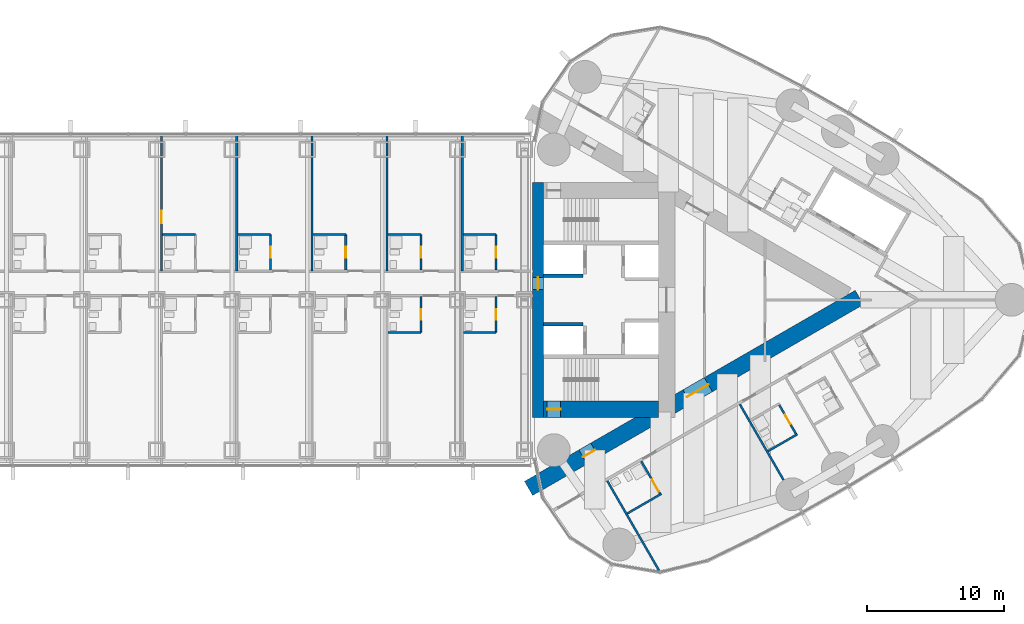
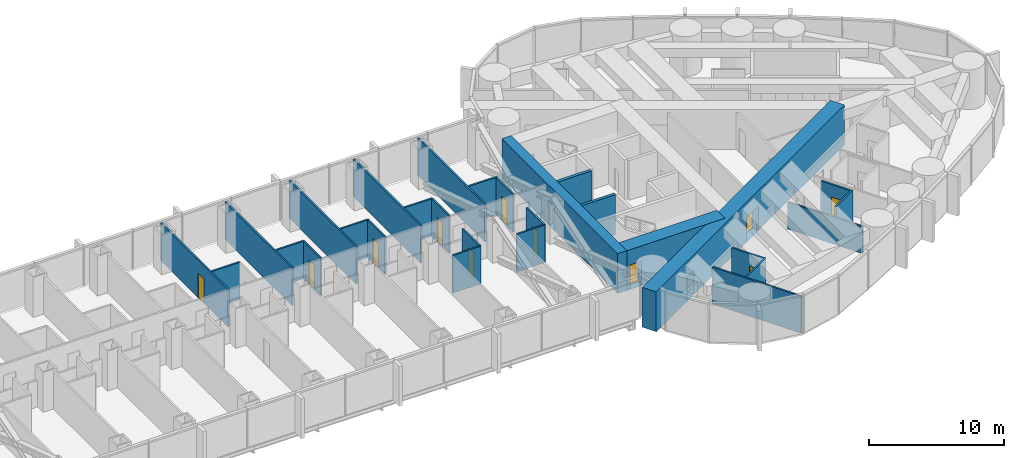
# One storey, part 18 of 23: 29 walls, 13 doors, 13 openings.
"""IFC4 building model written with IfcOpenShell, lengths in metres."""

from ifc_helpers import new_model, si_unit, direction, frame, frame_2d, origin, place, context, subcontext, project, spatial, rectangle, extrude, material, layer, layer_set, type_object, element, fill, save


model = new_model("IFC4")

# Units and contexts
model_context = context("Model", 3, precision=1e-05, world=origin(), true_north=direction((0.0, 1.0)))
body_context = subcontext(model_context, "Body", "Model", "MODEL_VIEW")
ifc_project = project(units=[si_unit("LENGTHUNIT", "METRE"), si_unit("AREAUNIT", "SQUARE_METRE"), si_unit("VOLUMEUNIT", "CUBIC_METRE"), si_unit("PLANEANGLEUNIT", "RADIAN"), si_unit("MASSUNIT", "GRAM", prefix="KILO")], contexts=[model_context])

# Site, building, storey
site_placement = place(None, origin())
site = spatial("IfcSite", under=ifc_project, at=site_placement, CompositionType="ELEMENT")
building_placement = place(site_placement, origin())
building = spatial("IfcBuilding", under=site, at=building_placement, Name="Lancet Gate Hotel", CompositionType="ELEMENT")
storey_placement = place(building_placement, frame((0.0, 0.0, 215.300048828125)))
storey = spatial("IfcBuildingStorey", under=building, at=storey_placement, Name="L57", CompositionType="ELEMENT", Elevation=215.300048828125)

# Wall
ifc_material_1 = material(Name="Moisture resistant board partition")
ifc_layer_1 = layer(ifc_material_1, 0.14990234375)
ifc_layer_set_1 = layer_set([ifc_layer_1], Name="Bathroom wall 150")
wall_type_1 = type_object("IfcWallType", Name="Bathroom wall 150", PredefinedType="PARTITIONING", material=ifc_layer_set_1)
wall_1_placement = place(storey_placement, frame((34.425048828125, -15.633056640625, 0.0), z_axis=(0.0, 0.0, 1.0), x_axis=(0.866018712932, 0.500011588718, 0.0)))
element("IfcWall", 1, at=wall_1_placement, inside=storey, type_object=wall_type_1, Name="T2 bathroom wall 150 L57", PredefinedType="PARTITIONING", context=body_context, shape_type="SweptSolid", body=[
    extrude(rectangle(XDim=2.875, YDim=0.14990234375, at=frame_2d((1.4375, 0.0))), origin(), (0.0, 0.0, 1.0), 3.349853515625),
])

# Wall, opening, door
wall_2_placement = place(storey_placement, frame((35.449951171875, -11.80810546875, 0.0), z_axis=(0.0, 0.0, 1.0), x_axis=(0.49994636267, -0.866056369097, 0.0)))
wall_2 = element("IfcWall", 2, at=wall_2_placement, inside=storey, type_object=wall_type_1, Name="T2 bathroom wall 150 L57", PredefinedType="PARTITIONING", context=body_context, shape_type="SweptSolid", body=[
    extrude(rectangle(XDim=2.800048828125, YDim=0.14990234375, at=frame_2d((1.39990234375, 0.0))), origin(), (0.0, 0.0, 1.0), 3.349853515625),
])
opening_1_placement = place(wall_2_placement, frame((1.550048828125, 0.0, 0.0)))
opening_1 = element("IfcOpeningElement", 3, at=opening_1_placement, cuts=wall_2, Name="Opening 5752-B", PredefinedType="OPENING", context=body_context, shape_type="SweptSolid", body=[
    extrude(rectangle(XDim=1.0, YDim=2.199951171875, at=frame_2d((0.5, 1.10009765625))), frame((0.0, 0.0849609375, 0.0), z_axis=(0.0, -1.0, 0.0), x_axis=(1.0, 0.0, 0.0)), (0.0, 0.0, 1.0), 0.169921875),
])
ifc_material_2 = material(Name="Timber door set", Category="wood")
door_type_1 = type_object("IfcDoorType", Name="Accessible en-suite door 1000", OperationType="SINGLE_SWING_RIGHT", PredefinedType="DOOR", material=ifc_material_2)
door_1_placement = place(opening_1_placement, origin())
door_1 = element("IfcDoor", 4, at=door_1_placement, inside=storey, type_object=door_type_1, Name="5752-B", OperationType="SINGLE_SWING_RIGHT", OverallHeight=2.199951171875, OverallWidth=1.0, PredefinedType="DOOR", context=body_context, shape_type="SweptSolid", body=[
    extrude(rectangle(XDim=1.0, YDim=2.199951171875, at=frame_2d((0.5, 1.10009765625))), frame((0.0, 0.02490234375, 0.0), z_axis=(0.0, -1.0, 0.0), x_axis=(1.0, 0.0, 0.0)), (0.0, 0.0, 1.0), 0.050048828125),
])
fill(opening_1, door_1)

# Wall
wall_3_placement = place(storey_placement, frame((44.724609375, -11.072265625, 0.0), z_axis=(0.0, 0.0, 1.0), x_axis=(0.866006523861, 0.500032699561, 0.0)))
element("IfcWall", 5, at=wall_3_placement, inside=storey, type_object=wall_type_1, Name="T2 bathroom wall 150 L57", PredefinedType="PARTITIONING", context=body_context, shape_type="SweptSolid", body=[
    extrude(rectangle(XDim=2.474853515625, YDim=0.14990234375, at=frame_2d((1.2373046875, 0.0))), origin(), (0.0, 0.0, 1.0), 3.349853515625),
])

# Wall, opening, door
wall_4_placement = place(storey_placement, frame((45.5029296875, -7.62060546875, 0.0), z_axis=(0.0, 0.0, 1.0), x_axis=(0.500006934395, -0.866021400173, 0.0)))
wall_4 = element("IfcWall", 6, at=wall_4_placement, inside=storey, type_object=wall_type_1, Name="T2 bathroom wall 150 L57", PredefinedType="PARTITIONING", context=body_context, shape_type="SweptSolid", body=[
    extrude(rectangle(XDim=2.60009765625, YDim=0.14990234375, at=frame_2d((1.300048828125, 0.0))), origin(), (0.0, 0.0, 1.0), 3.349853515625),
])
opening_2_placement = place(wall_4_placement, frame((0.89990234375, 0.0, 0.0)))
opening_2 = element("IfcOpeningElement", 7, at=opening_2_placement, cuts=wall_4, Name="Opening 5753-B", PredefinedType="OPENING", context=body_context, shape_type="SweptSolid", body=[
    extrude(rectangle(XDim=0.800048828125, YDim=2.199951171875, at=frame_2d((0.39990234375, 1.10009765625))), frame((0.0, 0.0849609375, 0.0), z_axis=(0.0, -1.0, 0.0), x_axis=(1.0, 0.0, 0.0)), (0.0, 0.0, 1.0), 0.169921875),
])
ifc_material_3 = material(Name="Timber door set", Category="wood")
door_type_2 = type_object("IfcDoorType", Name="Bathroom door 800", OperationType="SINGLE_SWING_RIGHT", PredefinedType="DOOR", material=ifc_material_3)
door_2_placement = place(opening_2_placement, origin())
door_2 = element("IfcDoor", 8, at=door_2_placement, inside=storey, type_object=door_type_2, Name="5753-B", OperationType="SINGLE_SWING_RIGHT", OverallHeight=2.199951171875, OverallWidth=0.800048828125, PredefinedType="DOOR", context=body_context, shape_type="SweptSolid", body=[
    extrude(rectangle(XDim=0.800048828125, YDim=2.199951171875, at=frame_2d((0.39990234375, 1.10009765625))), frame((0.0, 0.02490234375, 0.0), z_axis=(0.0, -1.0, 0.0), x_axis=(1.0, 0.0, 0.0)), (0.0, 0.0, 1.0), 0.050048828125),
])
fill(opening_2, door_2)

# Wall
wall_5_placement = place(storey_placement, frame((16.925048828125, -2.375, 0.0), z_axis=(0.0, 0.0, 1.0), x_axis=(1.0, 0.0, 0.0)))
element("IfcWall", 9, at=wall_5_placement, inside=storey, type_object=wall_type_1, Name="Bridge block bathroom wall 150 L57", PredefinedType="PARTITIONING", context=body_context, shape_type="SweptSolid", body=[
    extrude(rectangle(XDim=2.39990234375, YDim=0.14990234375, at=frame_2d((1.199951171875, 0.0))), origin(), (0.0, 0.0, 1.0), 3.39990234375),
])

# Wall, opening, door
wall_6_placement = place(storey_placement, frame((19.324951171875, -2.375, 0.0), z_axis=(0.0, 0.0, 1.0), x_axis=(0.0, 1.0, 0.0)))
wall_6 = element("IfcWall", 10, at=wall_6_placement, inside=storey, type_object=wall_type_1, Name="Bridge block bathroom wall 150 L57", PredefinedType="PARTITIONING", context=body_context, shape_type="SweptSolid", body=[
    extrude(rectangle(XDim=2.60009765625, YDim=0.14990234375, at=frame_2d((1.300048828125, 0.0))), origin(), (0.0, 0.0, 1.0), 3.39990234375),
])
opening_3_placement = place(wall_6_placement, frame((0.89990234375, 0.0, 0.0)))
opening_3 = element("IfcOpeningElement", 11, at=opening_3_placement, cuts=wall_6, Name="Opening B5709-B", PredefinedType="OPENING", context=body_context, shape_type="SweptSolid", body=[
    extrude(rectangle(XDim=0.800048828125, YDim=2.199951171875, at=frame_2d((0.39990234375, 1.10009765625))), frame((0.0, 0.0849609375, 0.0), z_axis=(0.0, -1.0, 0.0), x_axis=(1.0, 0.0, 0.0)), (0.0, 0.0, 1.0), 0.169921875),
])
door_3_placement = place(opening_3_placement, origin())
door_3 = element("IfcDoor", 12, at=door_3_placement, inside=storey, type_object=door_type_2, Name="B5709-B", OperationType="SINGLE_SWING_RIGHT", OverallHeight=2.199951171875, OverallWidth=0.800048828125, PredefinedType="DOOR", context=body_context, shape_type="SweptSolid", body=[
    extrude(rectangle(XDim=0.800048828125, YDim=2.199951171875, at=frame_2d((0.39990234375, 1.10009765625))), frame((0.0, 0.02490234375, 0.0), z_axis=(0.0, -1.0, 0.0), x_axis=(1.0, 0.0, 0.0)), (0.0, 0.0, 1.0), 0.050048828125),
])
fill(opening_3, door_3)

# Wall
wall_7_placement = place(storey_placement, frame((22.425048828125, -2.375, 0.0), z_axis=(0.0, 0.0, 1.0), x_axis=(1.0, 0.0, 0.0)))
element("IfcWall", 13, at=wall_7_placement, inside=storey, type_object=wall_type_1, Name="Bridge block bathroom wall 150 L57", PredefinedType="PARTITIONING", context=body_context, shape_type="SweptSolid", body=[
    extrude(rectangle(XDim=2.39990234375, YDim=0.14990234375, at=frame_2d((1.199951171875, 0.0))), origin(), (0.0, 0.0, 1.0), 3.39990234375),
])

# Wall, opening, door
wall_8_placement = place(storey_placement, frame((24.824951171875, -2.375, 0.0), z_axis=(0.0, 0.0, 1.0), x_axis=(0.0, 1.0, 0.0)))
wall_8 = element("IfcWall", 14, at=wall_8_placement, inside=storey, type_object=wall_type_1, Name="Bridge block bathroom wall 150 L57", PredefinedType="PARTITIONING", context=body_context, shape_type="SweptSolid", body=[
    extrude(rectangle(XDim=2.60009765625, YDim=0.14990234375, at=frame_2d((1.300048828125, 0.0))), origin(), (0.0, 0.0, 1.0), 3.39990234375),
])
opening_4_placement = place(wall_8_placement, frame((0.89990234375, 0.0, 0.0)))
opening_4 = element("IfcOpeningElement", 15, at=opening_4_placement, cuts=wall_8, Name="Opening B5710-B", PredefinedType="OPENING", context=body_context, shape_type="SweptSolid", body=[
    extrude(rectangle(XDim=0.800048828125, YDim=2.199951171875, at=frame_2d((0.39990234375, 1.10009765625))), frame((0.0, 0.0849609375, 0.0), z_axis=(0.0, -1.0, 0.0), x_axis=(1.0, 0.0, 0.0)), (0.0, 0.0, 1.0), 0.169921875),
])
door_4_placement = place(opening_4_placement, origin())
door_4 = element("IfcDoor", 16, at=door_4_placement, inside=storey, type_object=door_type_2, Name="B5710-B", OperationType="SINGLE_SWING_RIGHT", OverallHeight=2.199951171875, OverallWidth=0.800048828125, PredefinedType="DOOR", context=body_context, shape_type="SweptSolid", body=[
    extrude(rectangle(XDim=0.800048828125, YDim=2.199951171875, at=frame_2d((0.39990234375, 1.10009765625))), frame((0.0, 0.02490234375, 0.0), z_axis=(0.0, -1.0, 0.0), x_axis=(1.0, 0.0, 0.0)), (0.0, 0.0, 1.0), 0.050048828125),
])
fill(opening_4, door_4)

# Walls
for number, where, z_axis, x_axis, name in (
    (17, (0.425048828125, 4.77490234375, 0.0), (0.0, 0.0, 1.0), (1.0, 0.0, 0.0), "Bridge block bathroom wall 150 L57"),
    (18, (5.925048828125, 4.77490234375, 0.0), (0.0, 0.0, 1.0), (1.0, 0.0, 0.0), "Bridge block bathroom wall 150 L57"),
):
    element("IfcWall", number, at=place(storey_placement, frame(where, z_axis=z_axis, x_axis=x_axis)), inside=storey, type_object=wall_type_1, Name=name, PredefinedType="PARTITIONING", context=body_context, shape_type="SweptSolid", body=[
        extrude(rectangle(XDim=2.39990234375, YDim=0.14990234375, at=frame_2d((1.199951171875, 0.0))), origin(), (0.0, 0.0, 1.0), 3.39990234375),
    ])

# Wall, opening, door
wall_9_placement = place(storey_placement, frame((8.324951171875, 2.175048828125, 0.0), z_axis=(0.0, 0.0, 1.0), x_axis=(0.0, 1.0, 0.0)))
wall_9 = element("IfcWall", 19, at=wall_9_placement, inside=storey, type_object=wall_type_1, Name="Bridge block bathroom wall 150 L57", PredefinedType="PARTITIONING", context=body_context, shape_type="SweptSolid", body=[
    extrude(rectangle(XDim=2.599853515625, YDim=0.14990234375, at=frame_2d((1.2998046875, 0.0))), origin(), (0.0, 0.0, 1.0), 3.39990234375),
])
opening_5_placement = place(wall_9_placement, frame((0.89990234375, 0.0, 0.0)))
opening_5 = element("IfcOpeningElement", 20, at=opening_5_placement, cuts=wall_9, Name="Opening B5717-B", PredefinedType="OPENING", context=body_context, shape_type="SweptSolid", body=[
    extrude(rectangle(XDim=0.800048828125, YDim=2.199951171875, at=frame_2d((0.39990234375, 1.10009765625))), frame((0.0, 0.0849609375, 0.0), z_axis=(0.0, -1.0, 0.0), x_axis=(1.0, 0.0, 0.0)), (0.0, 0.0, 1.0), 0.169921875),
])
door_5_placement = place(opening_5_placement, origin())
door_5 = element("IfcDoor", 21, at=door_5_placement, inside=storey, type_object=door_type_2, Name="B5717-B", OperationType="SINGLE_SWING_RIGHT", OverallHeight=2.199951171875, OverallWidth=0.800048828125, PredefinedType="DOOR", context=body_context, shape_type="SweptSolid", body=[
    extrude(rectangle(XDim=0.800048828125, YDim=2.199951171875, at=frame_2d((0.39990234375, 1.10009765625))), frame((0.0, 0.02490234375, 0.0), z_axis=(0.0, -1.0, 0.0), x_axis=(1.0, 0.0, 0.0)), (0.0, 0.0, 1.0), 0.050048828125),
])
fill(opening_5, door_5)

# Wall
wall_10_placement = place(storey_placement, frame((11.425048828125, 4.77490234375, 0.0), z_axis=(0.0, 0.0, 1.0), x_axis=(1.0, 0.0, 0.0)))
element("IfcWall", 22, at=wall_10_placement, inside=storey, type_object=wall_type_1, Name="Bridge block bathroom wall 150 L57", PredefinedType="PARTITIONING", context=body_context, shape_type="SweptSolid", body=[
    extrude(rectangle(XDim=2.39990234375, YDim=0.14990234375, at=frame_2d((1.199951171875, 0.0))), origin(), (0.0, 0.0, 1.0), 3.39990234375),
])

# Wall, opening, door
wall_11_placement = place(storey_placement, frame((13.824951171875, 2.175048828125, 0.0), z_axis=(0.0, 0.0, 1.0), x_axis=(0.0, 1.0, 0.0)))
wall_11 = element("IfcWall", 23, at=wall_11_placement, inside=storey, type_object=wall_type_1, Name="Bridge block bathroom wall 150 L57", PredefinedType="PARTITIONING", context=body_context, shape_type="SweptSolid", body=[
    extrude(rectangle(XDim=2.599853515625, YDim=0.14990234375, at=frame_2d((1.2998046875, 0.0))), origin(), (0.0, 0.0, 1.0), 3.39990234375),
])
opening_6_placement = place(wall_11_placement, frame((0.89990234375, 0.0, 0.0)))
opening_6 = element("IfcOpeningElement", 24, at=opening_6_placement, cuts=wall_11, Name="Opening B5718-B", PredefinedType="OPENING", context=body_context, shape_type="SweptSolid", body=[
    extrude(rectangle(XDim=0.800048828125, YDim=2.199951171875, at=frame_2d((0.39990234375, 1.10009765625))), frame((0.0, 0.0849609375, 0.0), z_axis=(0.0, -1.0, 0.0), x_axis=(1.0, 0.0, 0.0)), (0.0, 0.0, 1.0), 0.169921875),
])
door_6_placement = place(opening_6_placement, origin())
door_6 = element("IfcDoor", 25, at=door_6_placement, inside=storey, type_object=door_type_2, Name="B5718-B", OperationType="SINGLE_SWING_RIGHT", OverallHeight=2.199951171875, OverallWidth=0.800048828125, PredefinedType="DOOR", context=body_context, shape_type="SweptSolid", body=[
    extrude(rectangle(XDim=0.800048828125, YDim=2.199951171875, at=frame_2d((0.39990234375, 1.10009765625))), frame((0.0, 0.02490234375, 0.0), z_axis=(0.0, -1.0, 0.0), x_axis=(1.0, 0.0, 0.0)), (0.0, 0.0, 1.0), 0.050048828125),
])
fill(opening_6, door_6)

# Wall
wall_12_placement = place(storey_placement, frame((16.925048828125, 4.77490234375, 0.0), z_axis=(0.0, 0.0, 1.0), x_axis=(1.0, 0.0, 0.0)))
element("IfcWall", 26, at=wall_12_placement, inside=storey, type_object=wall_type_1, Name="Bridge block bathroom wall 150 L57", PredefinedType="PARTITIONING", context=body_context, shape_type="SweptSolid", body=[
    extrude(rectangle(XDim=2.39990234375, YDim=0.14990234375, at=frame_2d((1.199951171875, 0.0))), origin(), (0.0, 0.0, 1.0), 3.39990234375),
])

# Wall, opening, door
wall_13_placement = place(storey_placement, frame((19.324951171875, 2.175048828125, 0.0), z_axis=(0.0, 0.0, 1.0), x_axis=(0.0, 1.0, 0.0)))
wall_13 = element("IfcWall", 27, at=wall_13_placement, inside=storey, type_object=wall_type_1, Name="Bridge block bathroom wall 150 L57", PredefinedType="PARTITIONING", context=body_context, shape_type="SweptSolid", body=[
    extrude(rectangle(XDim=2.599853515625, YDim=0.14990234375, at=frame_2d((1.2998046875, 0.0))), origin(), (0.0, 0.0, 1.0), 3.39990234375),
])
opening_7_placement = place(wall_13_placement, frame((0.89990234375, 0.0, 0.0)))
opening_7 = element("IfcOpeningElement", 28, at=opening_7_placement, cuts=wall_13, Name="Opening B5719-B", PredefinedType="OPENING", context=body_context, shape_type="SweptSolid", body=[
    extrude(rectangle(XDim=0.800048828125, YDim=2.199951171875, at=frame_2d((0.39990234375, 1.10009765625))), frame((0.0, 0.0849609375, 0.0), z_axis=(0.0, -1.0, 0.0), x_axis=(1.0, 0.0, 0.0)), (0.0, 0.0, 1.0), 0.169921875),
])
door_7_placement = place(opening_7_placement, origin())
door_7 = element("IfcDoor", 29, at=door_7_placement, inside=storey, type_object=door_type_2, Name="B5719-B", OperationType="SINGLE_SWING_RIGHT", OverallHeight=2.199951171875, OverallWidth=0.800048828125, PredefinedType="DOOR", context=body_context, shape_type="SweptSolid", body=[
    extrude(rectangle(XDim=0.800048828125, YDim=2.199951171875, at=frame_2d((0.39990234375, 1.10009765625))), frame((0.0, 0.02490234375, 0.0), z_axis=(0.0, -1.0, 0.0), x_axis=(1.0, 0.0, 0.0)), (0.0, 0.0, 1.0), 0.050048828125),
])
fill(opening_7, door_7)

# Wall
wall_14_placement = place(storey_placement, frame((22.425048828125, 4.77490234375, 0.0), z_axis=(0.0, 0.0, 1.0), x_axis=(1.0, 0.0, 0.0)))
element("IfcWall", 30, at=wall_14_placement, inside=storey, type_object=wall_type_1, Name="Bridge block bathroom wall 150 L57", PredefinedType="PARTITIONING", context=body_context, shape_type="SweptSolid", body=[
    extrude(rectangle(XDim=2.39990234375, YDim=0.14990234375, at=frame_2d((1.199951171875, 0.0))), origin(), (0.0, 0.0, 1.0), 3.39990234375),
])

# Wall, opening, door
wall_15_placement = place(storey_placement, frame((24.824951171875, 2.175048828125, 0.0), z_axis=(0.0, 0.0, 1.0), x_axis=(0.0, 1.0, 0.0)))
wall_15 = element("IfcWall", 31, at=wall_15_placement, inside=storey, type_object=wall_type_1, Name="Bridge block bathroom wall 150 L57", PredefinedType="PARTITIONING", context=body_context, shape_type="SweptSolid", body=[
    extrude(rectangle(XDim=2.599853515625, YDim=0.14990234375, at=frame_2d((1.2998046875, 0.0))), origin(), (0.0, 0.0, 1.0), 3.39990234375),
])
opening_8_placement = place(wall_15_placement, frame((0.89990234375, 0.0, 0.0)))
opening_8 = element("IfcOpeningElement", 32, at=opening_8_placement, cuts=wall_15, Name="Opening B5720-B", PredefinedType="OPENING", context=body_context, shape_type="SweptSolid", body=[
    extrude(rectangle(XDim=0.800048828125, YDim=2.199951171875, at=frame_2d((0.39990234375, 1.10009765625))), frame((0.0, 0.0849609375, 0.0), z_axis=(0.0, -1.0, 0.0), x_axis=(1.0, 0.0, 0.0)), (0.0, 0.0, 1.0), 0.169921875),
])
door_8_placement = place(opening_8_placement, origin())
door_8 = element("IfcDoor", 33, at=door_8_placement, inside=storey, type_object=door_type_2, Name="B5720-B", OperationType="SINGLE_SWING_RIGHT", OverallHeight=2.199951171875, OverallWidth=0.800048828125, PredefinedType="DOOR", context=body_context, shape_type="SweptSolid", body=[
    extrude(rectangle(XDim=0.800048828125, YDim=2.199951171875, at=frame_2d((0.39990234375, 1.10009765625))), frame((0.0, 0.02490234375, 0.0), z_axis=(0.0, -1.0, 0.0), x_axis=(1.0, 0.0, 0.0)), (0.0, 0.0, 1.0), 0.050048828125),
])
fill(opening_8, door_8)

# Wall, openings, doors
ifc_material_4 = material(Name="Concrete C70/85", Category="concrete")
ifc_layer_2 = layer(ifc_material_4, 1.199951171875)
ifc_layer_set_2 = layer_set([ifc_layer_2], Name="Buttress wall 1200")
wall_type_2 = type_object("IfcWallType", Name="Buttress wall 1200", PredefinedType="SHEAR", material=ifc_layer_set_2)
wall_16_placement = place(storey_placement, frame((27.199951171875, -13.800048828125, 0.0), z_axis=(0.0, 0.0, 1.0), x_axis=(0.866027159892, 0.499996958321, 0.0)))
wall_16 = element("IfcWall", 34, at=wall_16_placement, inside=storey, type_object=wall_type_2, Name="T2 buttress wall S L57", PredefinedType="SHEAR", context=body_context, shape_type="SweptSolid", body=[
    extrude(rectangle(XDim=27.946533203125, YDim=1.199951171875, at=frame_2d((13.97314453125, 0.0))), origin(), (0.0, 0.0, 1.0), 3.599853515625),
])
opening_9_placement = place(wall_16_placement, frame((4.60009765625, 0.0, 0.0)))
opening_9 = element("IfcOpeningElement", 35, at=opening_9_placement, cuts=wall_16, Name="Opening T2-L57-LS", PredefinedType="OPENING", context=body_context, shape_type="SweptSolid", body=[
    extrude(rectangle(XDim=1.0, YDim=2.199951171875, at=frame_2d((0.5, 1.10009765625))), frame((0.0, 0.60986328125, 0.0), z_axis=(0.0, -1.0, 0.0), x_axis=(1.0, 0.0, 0.0)), (0.0, 0.0, 1.0), 1.219970703125),
])
opening_10_placement = place(wall_16_placement, frame((13.39453125, 0.0, 0.0)))
opening_10 = element("IfcOpeningElement", 36, at=opening_10_placement, cuts=wall_16, Name="Opening T2-L57-LHS", PredefinedType="OPENING", context=body_context, shape_type="SweptSolid", body=[
    extrude(rectangle(XDim=1.800048828125, YDim=2.199951171875, at=frame_2d((0.89990234375, 1.10009765625))), frame((0.0, 0.60986328125, 0.0), z_axis=(0.0, -1.0, 0.0), x_axis=(1.0, 0.0, 0.0)), (0.0, 0.0, 1.0), 1.219970703125),
])
ifc_material_5 = material(Name="Timber door set", Category="wood")
door_type_3 = type_object("IfcDoorType", Name="Lobby double door 1800", OperationType="DOUBLE_DOOR_SINGLE_SWING", PredefinedType="DOOR", material=ifc_material_5)
door_9_placement = place(opening_10_placement, origin())
door_9 = element("IfcDoor", 37, at=door_9_placement, inside=storey, type_object=door_type_3, Name="T2-L57-LHS", OperationType="DOUBLE_DOOR_SINGLE_SWING", OverallHeight=2.199951171875, OverallWidth=1.800048828125, PredefinedType="DOOR", context=body_context, shape_type="SweptSolid", body=[
    extrude(rectangle(XDim=1.800048828125, YDim=2.199951171875, at=frame_2d((0.89990234375, 1.10009765625))), frame((0.0, 0.02490234375, 0.0), z_axis=(0.0, -1.0, 0.0), x_axis=(1.0, 0.0, 0.0)), (0.0, 0.0, 1.0), 0.050048828125),
])
fill(opening_10, door_9)
ifc_material_6 = material(Name="Timber door set", Category="wood")
door_type_4 = type_object("IfcDoorType", Name="Stair lobby door 1000", OperationType="SINGLE_SWING_LEFT", PredefinedType="DOOR", material=ifc_material_6)
door_10_placement = place(opening_9_placement, origin())
door_10 = element("IfcDoor", 38, at=door_10_placement, inside=storey, type_object=door_type_4, Name="T2-L57-LS", OperationType="SINGLE_SWING_LEFT", OverallHeight=2.199951171875, OverallWidth=1.0, PredefinedType="DOOR", context=body_context, shape_type="SweptSolid", body=[
    extrude(rectangle(XDim=1.0, YDim=2.199951171875, at=frame_2d((0.5, 1.10009765625))), frame((0.0, 0.02490234375, 0.0), z_axis=(0.0, -1.0, 0.0), x_axis=(1.0, 0.0, 0.0)), (0.0, 0.0, 1.0), 0.050048828125),
])
fill(opening_9, door_10)

# Wall, opening, door
ifc_material_7 = material(Name="Concrete C70/85", Category="concrete")
ifc_layer_3 = layer(ifc_material_7, 1.199951171875)
ifc_layer_set_3 = layer_set([ifc_layer_3], Name="Core wall 1200")
wall_type_3 = type_object("IfcWallType", Name="Core wall 1200", PredefinedType="SHEAR", material=ifc_layer_set_3)
wall_17_placement = place(storey_placement, frame((28.300048828125, -8.0, 0.0), z_axis=(0.0, 0.0, 1.0), x_axis=(1.0, 0.0, 0.0)))
wall_17 = element("IfcWall", 39, at=wall_17_placement, inside=storey, type_object=wall_type_3, Name="T2 core wall side-S L57", PredefinedType="SHEAR", context=body_context, shape_type="SweptSolid", body=[
    extrude(rectangle(XDim=8.39990234375, YDim=1.199951171875, at=frame_2d((4.199951171875, 0.0))), origin(), (0.0, 0.0, 1.0), 3.599853515625),
])
opening_11_placement = place(wall_17_placement, frame((0.25, 0.0, 0.0)))
opening_11 = element("IfcOpeningElement", 40, at=opening_11_placement, cuts=wall_17, Name="Opening T2-L57-ST1", PredefinedType="OPENING", context=body_context, shape_type="SweptSolid", body=[
    extrude(rectangle(XDim=1.0, YDim=2.199951171875, at=frame_2d((0.5, 1.10009765625))), frame((0.0, 0.60986328125, 0.0), z_axis=(0.0, -1.0, 0.0), x_axis=(1.0, 0.0, 0.0)), (0.0, 0.0, 1.0), 1.219970703125),
])
ifc_material_8 = material(Name="Timber door set", Category="wood")
door_type_5 = type_object("IfcDoorType", Name="Stair door 1000", OperationType="SINGLE_SWING_RIGHT", PredefinedType="DOOR", material=ifc_material_8)
door_11_placement = place(opening_11_placement, origin())
door_11 = element("IfcDoor", 41, at=door_11_placement, inside=storey, type_object=door_type_5, Name="T2-L57-ST1", OperationType="SINGLE_SWING_RIGHT", OverallHeight=2.199951171875, OverallWidth=1.0, PredefinedType="DOOR", context=body_context, shape_type="SweptSolid", body=[
    extrude(rectangle(XDim=1.0, YDim=2.199951171875, at=frame_2d((0.5, 1.10009765625))), frame((0.0, 0.02490234375, 0.0), z_axis=(0.0, -1.0, 0.0), x_axis=(1.0, 0.0, 0.0)), (0.0, 0.0, 1.0), 0.050048828125),
])
fill(opening_11, door_11)

ifc_material_9 = material(Name="Concrete C70/85", Category="concrete")
ifc_layer_4 = layer(ifc_material_9, 0.800048828125)
ifc_layer_set_4 = layer_set([ifc_layer_4], Name="Core wall 800")
wall_type_4 = type_object("IfcWallType", Name="Core wall 800", PredefinedType="SHEAR", material=ifc_layer_set_4)
wall_18_placement = place(storey_placement, frame((27.89990234375, -8.60009765625, 0.0), z_axis=(0.0, 0.0, 1.0), x_axis=(0.0, 1.0, 0.0)))
wall_18 = element("IfcWall", 42, at=wall_18_placement, inside=storey, type_object=wall_type_4, Name="T2 core wall front L57", PredefinedType="SHEAR", context=body_context, shape_type="SweptSolid", body=[
    extrude(rectangle(XDim=17.2001953125, YDim=0.800048828125, at=frame_2d((8.60009765625, 0.0))), origin(), (0.0, 0.0, 1.0), 3.599853515625),
])
opening_12_placement = place(wall_18_placement, frame((9.35009765625, 0.0, 0.0)))
opening_12 = element("IfcOpeningElement", 43, at=opening_12_placement, cuts=wall_18, Name="Opening T2-L57-BR", PredefinedType="OPENING", context=body_context, shape_type="SweptSolid", body=[
    extrude(rectangle(XDim=0.89990234375, YDim=2.199951171875, at=frame_2d((0.449951171875, 1.10009765625))), frame((0.0, 0.409912109375, 0.0), z_axis=(0.0, -1.0, 0.0), x_axis=(1.0, 0.0, 0.0)), (0.0, 0.0, 1.0), 0.820068359375),
])
ifc_material_10 = material(Name="Steel door set", Category="steel")
door_type_6 = type_object("IfcDoorType", Name="Bridge fire door 900", OperationType="SINGLE_SWING_LEFT", PredefinedType="DOOR", material=ifc_material_10)
door_12_placement = place(opening_12_placement, origin())
door_12 = element("IfcDoor", 44, at=door_12_placement, inside=storey, type_object=door_type_6, Name="T2-L57-BR", OperationType="SINGLE_SWING_LEFT", OverallHeight=2.199951171875, OverallWidth=0.89990234375, PredefinedType="DOOR", context=body_context, shape_type="SweptSolid", body=[
    extrude(rectangle(XDim=0.89990234375, YDim=2.199951171875, at=frame_2d((0.449951171875, 1.10009765625))), frame((0.0, 0.02490234375, 0.0), z_axis=(0.0, -1.0, 0.0), x_axis=(1.0, 0.0, 0.0)), (0.0, 0.0, 1.0), 0.050048828125),
])
fill(opening_12, door_12)

# Walls
ifc_material_11 = material(Name="Concrete C50/60", Category="concrete")
ifc_layer_5 = layer(ifc_material_11, 0.25)
ifc_layer_set_5 = layer_set([ifc_layer_5], Name="Lift shaft wall 250")
wall_type_5 = type_object("IfcWallType", Name="Lift shaft wall 250", PredefinedType="SHEAR", material=ifc_layer_set_5)
for number, where, z_axis, x_axis, name in (
    (45, (28.300048828125, -1.77490234375, 0.0), (0.0, 0.0, 1.0), (1.0, 0.0, 0.0), "T2 core wall pass1-S L57"),
    (46, (28.300048828125, 1.77490234375, 0.0), (0.0, 0.0, 1.0), (1.0, 0.0, 0.0), "T2 core wall pass1-N L57"),
):
    element("IfcWall", number, at=place(storey_placement, frame(where, z_axis=z_axis, x_axis=x_axis)), inside=storey, type_object=wall_type_5, Name=name, PredefinedType="SHEAR", context=body_context, shape_type="SweptSolid", body=[
        extrude(rectangle(XDim=2.89990234375, YDim=0.25, at=frame_2d((1.449951171875, 0.0))), origin(), (0.0, 0.0, 1.0), 3.599853515625),
    ])
ifc_material_12 = material(Name="Gypsum board partition")
ifc_layer_6 = layer(ifc_material_12, 0.14990234375)
ifc_layer_set_6 = layer_set([ifc_layer_6], Name="Party wall 150")
wall_type_6 = type_object("IfcWallType", Name="Party wall 150", PredefinedType="PARTITIONING", material=ifc_layer_set_6)
wall_19_placement = place(storey_placement, frame((32.9599609375, -13.24560546875, 0.0), z_axis=(0.0, 0.0, 1.0), x_axis=(0.500000236886, -0.866025267018, 0.0)))
element("IfcWall", 47, at=wall_19_placement, inside=storey, type_object=wall_type_6, Name="T2 party wall 150 L57", PredefinedType="PARTITIONING", context=body_context, shape_type="SweptSolid", body=[
    extrude(rectangle(XDim=7.58251953125, YDim=0.14990234375, at=frame_2d((3.791259765625, 0.0))), origin(), (0.0, 0.0, 1.0), 3.349853515625),
])
wall_20_placement = place(storey_placement, frame((42.65966796875, -7.6455078125, 0.0), z_axis=(0.0, 0.0, 1.0), x_axis=(0.499996592859, -0.866027370889, 0.0)))
element("IfcWall", 48, at=wall_20_placement, inside=storey, type_object=wall_type_6, Name="T2 party wall 150 L57", PredefinedType="PARTITIONING", context=body_context, shape_type="SweptSolid", body=[
    extrude(rectangle(XDim=6.3984375, YDim=0.14990234375, at=frame_2d((3.19921875, 0.0))), origin(), (0.0, 0.0, 1.0), 2.449951171875),
])

# Wall, opening, door
wall_21_placement = place(storey_placement, frame((0.35009765625, 2.10009765625, 0.0), z_axis=(0.0, 0.0, 1.0), x_axis=(0.0, 1.0, 0.0)))
wall_21 = element("IfcWall", 49, at=wall_21_placement, inside=storey, type_object=wall_type_6, Name="Bridge block party wall 150 L57", PredefinedType="PARTITIONING", context=body_context, shape_type="SweptSolid", body=[
    extrude(rectangle(XDim=9.969970703125, YDim=0.14990234375, at=frame_2d((4.98486328125, 0.0))), origin(), (0.0, 0.0, 1.0), 3.39990234375),
])
opening_13_placement = place(wall_21_placement, frame((3.5, 0.0, 0.0)))
opening_13 = element("IfcOpeningElement", 50, at=opening_13_placement, cuts=wall_21, Name="Opening B5715-C", PredefinedType="OPENING", context=body_context, shape_type="SweptSolid", body=[
    extrude(rectangle(XDim=0.89990234375, YDim=2.199951171875, at=frame_2d((0.449951171875, 1.10009765625))), frame((0.0, 0.0849609375, 0.0), z_axis=(0.0, -1.0, 0.0), x_axis=(1.0, 0.0, 0.0)), (0.0, 0.0, 1.0), 0.169921875),
])
ifc_material_13 = material(Name="Timber door set", Category="wood")
door_type_7 = type_object("IfcDoorType", Name="Connecting door 900", OperationType="SINGLE_SWING_LEFT", PredefinedType="DOOR", material=ifc_material_13)
door_13_placement = place(opening_13_placement, origin())
door_13 = element("IfcDoor", 51, at=door_13_placement, inside=storey, type_object=door_type_7, Name="B5715-C", OperationType="SINGLE_SWING_LEFT", OverallHeight=2.199951171875, OverallWidth=0.89990234375, PredefinedType="DOOR", context=body_context, shape_type="SweptSolid", body=[
    extrude(rectangle(XDim=0.89990234375, YDim=2.199951171875, at=frame_2d((0.449951171875, 1.10009765625))), frame((0.0, 0.02490234375, 0.0), z_axis=(0.0, -1.0, 0.0), x_axis=(1.0, 0.0, 0.0)), (0.0, 0.0, 1.0), 0.050048828125),
])
fill(opening_13, door_13)

# Walls
for number, where, z_axis, x_axis, name in (
    (52, (5.85009765625, 2.10009765625, 0.0), (0.0, 0.0, 1.0), (0.0, 1.0, 0.0), "Bridge block party wall 150 L57"),
    (53, (11.35009765625, 2.10009765625, 0.0), (0.0, 0.0, 1.0), (0.0, 1.0, 0.0), "Bridge block party wall 150 L57"),
    (54, (16.85009765625, 2.10009765625, 0.0), (0.0, 0.0, 1.0), (0.0, 1.0, 0.0), "Bridge block party wall 150 L57"),
    (55, (22.35009765625, 2.10009765625, 0.0), (0.0, 0.0, 1.0), (0.0, 1.0, 0.0), "Bridge block party wall 150 L57"),
):
    element("IfcWall", number, at=place(storey_placement, frame(where, z_axis=z_axis, x_axis=x_axis)), inside=storey, type_object=wall_type_6, Name=name, PredefinedType="PARTITIONING", context=body_context, shape_type="SweptSolid", body=[
        extrude(rectangle(XDim=9.969970703125, YDim=0.14990234375, at=frame_2d((4.98486328125, 0.0))), origin(), (0.0, 0.0, 1.0), 3.39990234375),
    ])

save(model, "model.ifc")
